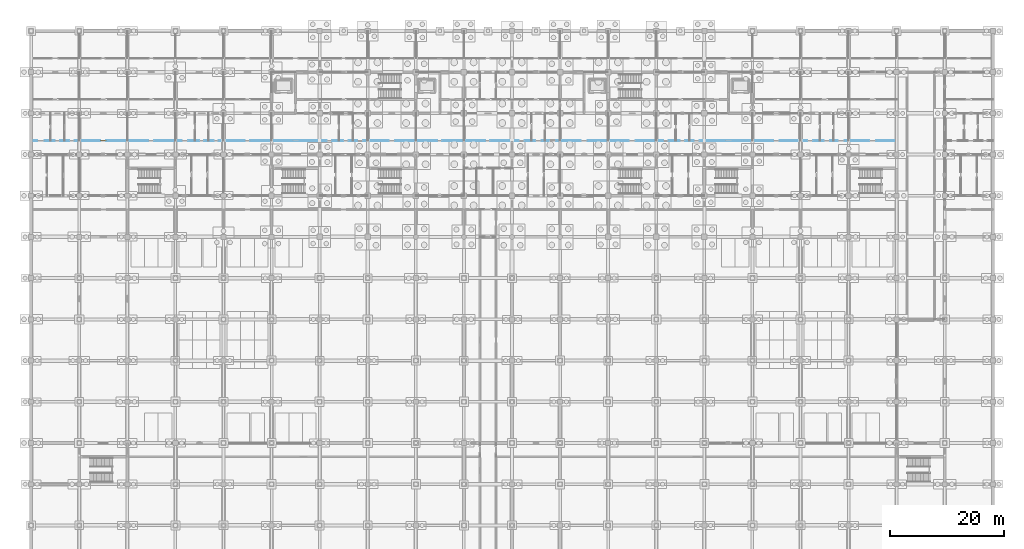
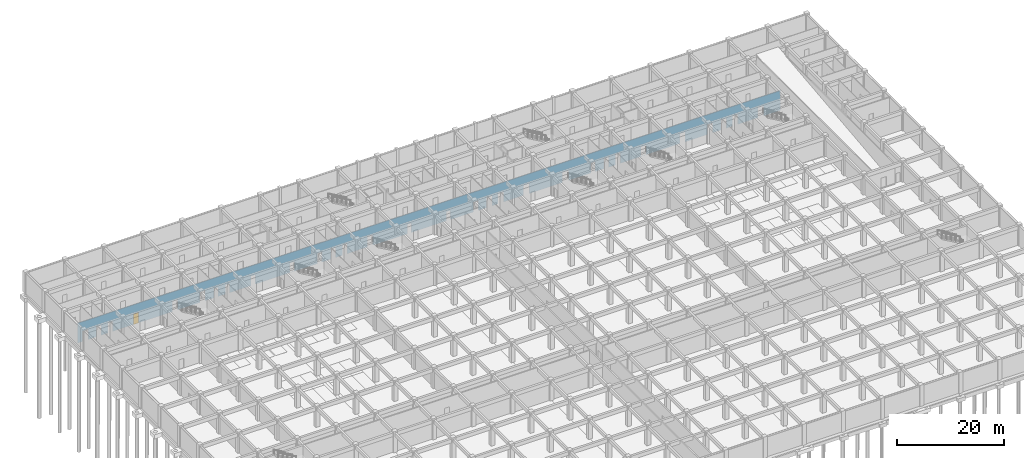
# One storey, part 44 of 85: 1 door, 30 openings, plus 1 element that does not belong to this part.
"""IFC4 building model written with IfcOpenShell, lengths in metres."""

from ifc_helpers import new_model, si_unit, direction, frame, frame_2d, origin, place, context, subcontext, project, spatial, rectangle, extrude, material, layer, layer_set, type_object, element, fill, save


model = new_model("IFC4")

# Units and contexts
model_context = context("Model", 3, precision=1e-05, world=origin(), true_north=direction((0.0, 1.0)))
body_context = subcontext(model_context, "Body", "Model", "MODEL_VIEW")
ifc_project = project(units=[si_unit("LENGTHUNIT", "METRE"), si_unit("AREAUNIT", "SQUARE_METRE"), si_unit("VOLUMEUNIT", "CUBIC_METRE"), si_unit("PLANEANGLEUNIT", "RADIAN"), si_unit("MASSUNIT", "GRAM", prefix="KILO")], contexts=[model_context])

# Site, building, storey
site_placement = place(None, origin())
site = spatial("IfcSite", under=ifc_project, at=site_placement, CompositionType="ELEMENT")
building_placement = place(site_placement, origin())
building = spatial("IfcBuilding", under=site, at=building_placement, Name="Chengyuan Square Courthouse", CompositionType="ELEMENT")
storey_placement = place(building_placement, frame((0.0, 0.0, -10.199951171875)))
storey = spatial("IfcBuildingStorey", under=building, at=storey_placement, Name="B02", CompositionType="ELEMENT", Elevation=-10.199951171875)

# Wall, openings, door
ifc_material_1 = material(Name="Gypsum Plasterboard Acoustic Stud Partition")
ifc_layer = layer(ifc_material_1, 0.10009765625)
ifc_layer_set = layer_set([ifc_layer], Name="Gypsum Plasterboard Acoustic Stud Partition")
wall_type = type_object("IfcWallType", Name="WL-PT6", PredefinedType="STANDARD", material=ifc_layer_set)
wall_placement = place(storey_placement, frame((0.0400390625, 96.0, 0.0), z_axis=(0.0, 0.0, 1.0), x_axis=(1.0, 0.0, 0.0)))
wall = element("IfcWall", 1, at=wall_placement, inside=storey, type_object=wall_type, Name="Interior Wall WL-B02-I062", PredefinedType="STANDARD", context=body_context, shape_type="SweptSolid", body=[
    extrude(rectangle(XDim=151.159912109375, YDim=0.10009765625, at=frame_2d((75.580078125, 0.0))), origin(), (0.0, 0.0, 1.0), 4.47998046875),
])
opening_1_placement = place(wall_placement, frame((1.0400390625, 0.0, 0.0)))
element("IfcOpeningElement", 2, at=opening_1_placement, cuts=wall, Name="Opening DR-148", PredefinedType="OPENING", context=body_context, shape_type="SweptSolid", body=[
    extrude(rectangle(XDim=1.280029296875, YDim=2.35009765625, at=frame_2d((0.64013671875, 1.175048828125))), frame((0.0, 0.06201171875, 0.0), z_axis=(0.0, -1.0, 0.0), x_axis=(1.0, 0.0, 0.0)), (0.0, 0.0, 1.0), 0.1240234375),
])
opening_2_placement = place(wall_placement, frame((4.090087890625, 0.0, 0.0)))
element("IfcOpeningElement", 3, at=opening_2_placement, cuts=wall, Name="Opening DR-149", PredefinedType="OPENING", context=body_context, shape_type="SweptSolid", body=[
    extrude(rectangle(XDim=0.93994140625, YDim=2.300048828125, at=frame_2d((0.469970703125, 1.14990234375))), frame((0.0, 0.06201171875, 0.0), z_axis=(0.0, -1.0, 0.0), x_axis=(1.0, 0.0, 0.0)), (0.0, 0.0, 1.0), 0.1240234375),
])
opening_3_placement = place(wall_placement, frame((6.570068359375, 0.0, 0.0)))
element("IfcOpeningElement", 4, at=opening_3_placement, cuts=wall, Name="Opening DR-150", PredefinedType="OPENING", context=body_context, shape_type="SweptSolid", body=[
    extrude(rectangle(XDim=0.97998046875, YDim=2.35009765625, at=frame_2d((0.489990234375, 1.175048828125))), frame((0.0, 0.06201171875, 0.0), z_axis=(0.0, -1.0, 0.0), x_axis=(1.0, 0.0, 0.0)), (0.0, 0.0, 1.0), 0.1240234375),
])
opening_4_placement = place(wall_placement, frame((12.050048828125, 0.0, 0.0)))
opening_4 = element("IfcOpeningElement", 5, at=opening_4_placement, cuts=wall, Name="Opening DR-151", PredefinedType="OPENING", context=body_context, shape_type="SweptSolid", body=[
    extrude(rectangle(XDim=1.02001953125, YDim=2.39990234375, at=frame_2d((0.510009765625, 1.199951171875))), frame((0.0, 0.06201171875, 0.0), z_axis=(0.0, -1.0, 0.0), x_axis=(1.0, 0.0, 0.0)), (0.0, 0.0, 1.0), 0.1240234375),
])
opening_5_placement = place(wall_placement, frame((20.429931640625, 0.0, 0.0)))
element("IfcOpeningElement", 6, at=opening_5_placement, cuts=wall, Name="Opening DR-152", PredefinedType="OPENING", context=body_context, shape_type="SweptSolid", body=[
    extrude(rectangle(XDim=1.06005859375, YDim=2.39990234375, at=frame_2d((0.530029296875, 1.199951171875))), frame((0.0, 0.06201171875, 0.0), z_axis=(0.0, -1.0, 0.0), x_axis=(1.0, 0.0, 0.0)), (0.0, 0.0, 1.0), 0.1240234375),
])
opening_6_placement = place(wall_placement, frame((26.2900390625, 0.0, 0.0)))
element("IfcOpeningElement", 7, at=opening_6_placement, cuts=wall, Name="Opening DR-153", PredefinedType="OPENING", context=body_context, shape_type="SweptSolid", body=[
    extrude(rectangle(XDim=1.139892578125, YDim=2.39990234375, at=frame_2d((0.56982421875, 1.199951171875))), frame((0.0, 0.06201171875, 0.0), z_axis=(0.0, -1.0, 0.0), x_axis=(1.0, 0.0, 0.0)), (0.0, 0.0, 1.0), 0.1240234375),
])
opening_7_placement = place(wall_placement, frame((29.31005859375, 0.0, 0.0)))
element("IfcOpeningElement", 8, at=opening_7_placement, cuts=wall, Name="Opening DR-154", PredefinedType="OPENING", context=body_context, shape_type="SweptSolid", body=[
    extrude(rectangle(XDim=0.89990234375, YDim=2.14990234375, at=frame_2d((0.449951171875, 1.074951171875))), frame((0.0, 0.06201171875, 0.0), z_axis=(0.0, -1.0, 0.0), x_axis=(1.0, 0.0, 0.0)), (0.0, 0.0, 1.0), 0.1240234375),
])
opening_8_placement = place(wall_placement, frame((31.830078125, 0.0, 0.0)))
element("IfcOpeningElement", 9, at=opening_8_placement, cuts=wall, Name="Opening DR-155", PredefinedType="OPENING", context=body_context, shape_type="SweptSolid", body=[
    extrude(rectangle(XDim=0.860107421875, YDim=2.10009765625, at=frame_2d((0.43017578125, 1.050048828125))), frame((0.0, 0.06201171875, 0.0), z_axis=(0.0, -1.0, 0.0), x_axis=(1.0, 0.0, 0.0)), (0.0, 0.0, 1.0), 0.1240234375),
])
opening_9_placement = place(wall_placement, frame((37.300048828125, 0.0, 0.0)))
element("IfcOpeningElement", 10, at=opening_9_placement, cuts=wall, Name="Opening DR-156", PredefinedType="OPENING", context=body_context, shape_type="SweptSolid", body=[
    extrude(rectangle(XDim=0.919921875, YDim=2.14990234375, at=frame_2d((0.4599609375, 1.074951171875))), frame((0.0, 0.06201171875, 0.0), z_axis=(0.0, -1.0, 0.0), x_axis=(1.0, 0.0, 0.0)), (0.0, 0.0, 1.0), 0.1240234375),
])
opening_10_placement = place(wall_placement, frame((45.679931640625, 0.0, 0.0)))
element("IfcOpeningElement", 11, at=opening_10_placement, cuts=wall, Name="Opening DR-157", PredefinedType="OPENING", context=body_context, shape_type="SweptSolid", body=[
    extrude(rectangle(XDim=0.9599609375, YDim=2.199951171875, at=frame_2d((0.47998046875, 1.10009765625))), frame((0.0, 0.06201171875, 0.0), z_axis=(0.0, -1.0, 0.0), x_axis=(1.0, 0.0, 0.0)), (0.0, 0.0, 1.0), 0.1240234375),
])
opening_11_placement = place(wall_placement, frame((51.570068359375, 0.0, 0.0)))
element("IfcOpeningElement", 12, at=opening_11_placement, cuts=wall, Name="Opening DR-167", PredefinedType="OPENING", context=body_context, shape_type="SweptSolid", body=[
    extrude(rectangle(XDim=0.97998046875, YDim=2.35009765625, at=frame_2d((0.489990234375, 1.175048828125))), frame((0.0, 0.06201171875, 0.0), z_axis=(0.0, -1.0, 0.0), x_axis=(1.0, 0.0, 0.0)), (0.0, 0.0, 1.0), 0.1240234375),
])
opening_12_placement = place(wall_placement, frame((54.449951171875, 0.0, 0.0)))
element("IfcOpeningElement", 13, at=opening_12_placement, cuts=wall, Name="Opening DR-168", PredefinedType="OPENING", context=body_context, shape_type="SweptSolid", body=[
    extrude(rectangle(XDim=1.02001953125, YDim=2.39990234375, at=frame_2d((0.510009765625, 1.199951171875))), frame((0.0, 0.06201171875, 0.0), z_axis=(0.0, -1.0, 0.0), x_axis=(1.0, 0.0, 0.0)), (0.0, 0.0, 1.0), 0.1240234375),
])
opening_13_placement = place(wall_placement, frame((56.929931640625, 0.0, 0.0)))
element("IfcOpeningElement", 14, at=opening_13_placement, cuts=wall, Name="Opening DR-169", PredefinedType="OPENING", context=body_context, shape_type="SweptSolid", body=[
    extrude(rectangle(XDim=1.06005859375, YDim=2.39990234375, at=frame_2d((0.530029296875, 1.199951171875))), frame((0.0, 0.06201171875, 0.0), z_axis=(0.0, -1.0, 0.0), x_axis=(1.0, 0.0, 0.0)), (0.0, 0.0, 1.0), 0.1240234375),
])
opening_14_placement = place(wall_placement, frame((62.389892578125, 0.0, 0.0)))
element("IfcOpeningElement", 15, at=opening_14_placement, cuts=wall, Name="Opening DR-170", PredefinedType="OPENING", context=body_context, shape_type="SweptSolid", body=[
    extrude(rectangle(XDim=1.139892578125, YDim=2.39990234375, at=frame_2d((0.56982421875, 1.199951171875))), frame((0.0, 0.06201171875, 0.0), z_axis=(0.0, -1.0, 0.0), x_axis=(1.0, 0.0, 0.0)), (0.0, 0.0, 1.0), 0.1240234375),
])
opening_15_placement = place(wall_placement, frame((70.909912109375, 0.0, 0.0)))
element("IfcOpeningElement", 16, at=opening_15_placement, cuts=wall, Name="Opening DR-171", PredefinedType="OPENING", context=body_context, shape_type="SweptSolid", body=[
    extrude(rectangle(XDim=0.89990234375, YDim=2.14990234375, at=frame_2d((0.449951171875, 1.074951171875))), frame((0.0, 0.06201171875, 0.0), z_axis=(0.0, -1.0, 0.0), x_axis=(1.0, 0.0, 0.0)), (0.0, 0.0, 1.0), 0.1240234375),
])
opening_16_placement = place(wall_placement, frame((79.330078125, 0.0, 0.0)))
element("IfcOpeningElement", 17, at=opening_16_placement, cuts=wall, Name="Opening DR-172", PredefinedType="OPENING", context=body_context, shape_type="SweptSolid", body=[
    extrude(rectangle(XDim=0.860107421875, YDim=2.10009765625, at=frame_2d((0.43017578125, 1.050048828125))), frame((0.0, 0.06201171875, 0.0), z_axis=(0.0, -1.0, 0.0), x_axis=(1.0, 0.0, 0.0)), (0.0, 0.0, 1.0), 0.1240234375),
])
opening_17_placement = place(wall_placement, frame((85.10009765625, 0.0, 0.0)))
element("IfcOpeningElement", 18, at=opening_17_placement, cuts=wall, Name="Opening DR-178", PredefinedType="OPENING", context=body_context, shape_type="SweptSolid", body=[
    extrude(rectangle(XDim=1.1201171875, YDim=2.25, at=frame_2d((0.56005859375, 1.125))), frame((0.0, 0.06201171875, 0.0), z_axis=(0.0, -1.0, 0.0), x_axis=(1.0, 0.0, 0.0)), (0.0, 0.0, 1.0), 0.1240234375),
])
opening_18_placement = place(wall_placement, frame((87.97998046875, 0.0, 0.0)))
element("IfcOpeningElement", 19, at=opening_18_placement, cuts=wall, Name="Opening DR-179", PredefinedType="OPENING", context=body_context, shape_type="SweptSolid", body=[
    extrude(rectangle(XDim=1.159912109375, YDim=2.300048828125, at=frame_2d((0.580078125, 1.14990234375))), frame((0.0, 0.06201171875, 0.0), z_axis=(0.0, -1.0, 0.0), x_axis=(1.0, 0.0, 0.0)), (0.0, 0.0, 1.0), 0.1240234375),
])
opening_19_placement = place(wall_placement, frame((90.4599609375, 0.0, 0.0)))
element("IfcOpeningElement", 20, at=opening_19_placement, cuts=wall, Name="Opening DR-180", PredefinedType="OPENING", context=body_context, shape_type="SweptSolid", body=[
    extrude(rectangle(XDim=1.199951171875, YDim=2.35009765625, at=frame_2d((0.60009765625, 1.175048828125))), frame((0.0, 0.06201171875, 0.0), z_axis=(0.0, -1.0, 0.0), x_axis=(1.0, 0.0, 0.0)), (0.0, 0.0, 1.0), 0.1240234375),
])
opening_20_placement = place(wall_placement, frame((95.93994140625, 0.0, 0.0)))
element("IfcOpeningElement", 21, at=opening_20_placement, cuts=wall, Name="Opening DR-181", PredefinedType="OPENING", context=body_context, shape_type="SweptSolid", body=[
    extrude(rectangle(XDim=1.239990234375, YDim=2.300048828125, at=frame_2d((0.6201171875, 1.14990234375))), frame((0.0, 0.06201171875, 0.0), z_axis=(0.0, -1.0, 0.0), x_axis=(1.0, 0.0, 0.0)), (0.0, 0.0, 1.0), 0.1240234375),
])
opening_21_placement = place(wall_placement, frame((104.320068359375, 0.0, 0.0)))
element("IfcOpeningElement", 22, at=opening_21_placement, cuts=wall, Name="Opening DR-182", PredefinedType="OPENING", context=body_context, shape_type="SweptSolid", body=[
    extrude(rectangle(XDim=1.280029296875, YDim=2.35009765625, at=frame_2d((0.64013671875, 1.175048828125))), frame((0.0, 0.06201171875, 0.0), z_axis=(0.0, -1.0, 0.0), x_axis=(1.0, 0.0, 0.0)), (0.0, 0.0, 1.0), 0.1240234375),
])
opening_22_placement = place(wall_placement, frame((110.389892578125, 0.0, 0.0)))
element("IfcOpeningElement", 23, at=opening_22_placement, cuts=wall, Name="Opening DR-183", PredefinedType="OPENING", context=body_context, shape_type="SweptSolid", body=[
    extrude(rectangle(XDim=0.93994140625, YDim=2.300048828125, at=frame_2d((0.469970703125, 1.14990234375))), frame((0.0, 0.06201171875, 0.0), z_axis=(0.0, -1.0, 0.0), x_axis=(1.0, 0.0, 0.0)), (0.0, 0.0, 1.0), 0.1240234375),
])
opening_23_placement = place(wall_placement, frame((113.27001953125, 0.0, 0.0)))
element("IfcOpeningElement", 24, at=opening_23_placement, cuts=wall, Name="Opening DR-184", PredefinedType="OPENING", context=body_context, shape_type="SweptSolid", body=[
    extrude(rectangle(XDim=0.97998046875, YDim=2.35009765625, at=frame_2d((0.489990234375, 1.175048828125))), frame((0.0, 0.06201171875, 0.0), z_axis=(0.0, -1.0, 0.0), x_axis=(1.0, 0.0, 0.0)), (0.0, 0.0, 1.0), 0.1240234375),
])
opening_24_placement = place(wall_placement, frame((115.75, 0.0, 0.0)))
element("IfcOpeningElement", 25, at=opening_24_placement, cuts=wall, Name="Opening DR-185", PredefinedType="OPENING", context=body_context, shape_type="SweptSolid", body=[
    extrude(rectangle(XDim=1.02001953125, YDim=2.39990234375, at=frame_2d((0.510009765625, 1.199951171875))), frame((0.0, 0.06201171875, 0.0), z_axis=(0.0, -1.0, 0.0), x_axis=(1.0, 0.0, 0.0)), (0.0, 0.0, 1.0), 0.1240234375),
])
opening_25_placement = place(wall_placement, frame((121.239990234375, 0.0, 0.0)))
element("IfcOpeningElement", 26, at=opening_25_placement, cuts=wall, Name="Opening DR-193", PredefinedType="OPENING", context=body_context, shape_type="SweptSolid", body=[
    extrude(rectangle(XDim=1.0400390625, YDim=2.199951171875, at=frame_2d((0.52001953125, 1.10009765625))), frame((0.0, 0.06201171875, 0.0), z_axis=(0.0, -1.0, 0.0), x_axis=(1.0, 0.0, 0.0)), (0.0, 0.0, 1.0), 0.1240234375),
])
opening_26_placement = place(wall_placement, frame((129.6201171875, 0.0, 0.0)))
element("IfcOpeningElement", 27, at=opening_26_placement, cuts=wall, Name="Opening DR-194", PredefinedType="OPENING", context=body_context, shape_type="SweptSolid", body=[
    extrude(rectangle(XDim=1.080078125, YDim=2.25, at=frame_2d((0.5400390625, 1.125))), frame((0.0, 0.06201171875, 0.0), z_axis=(0.0, -1.0, 0.0), x_axis=(1.0, 0.0, 0.0)), (0.0, 0.0, 1.0), 0.1240234375),
])
opening_27_placement = place(wall_placement, frame((135.5, 0.0, 0.0)))
element("IfcOpeningElement", 28, at=opening_27_placement, cuts=wall, Name="Opening DR-195", PredefinedType="OPENING", context=body_context, shape_type="SweptSolid", body=[
    extrude(rectangle(XDim=1.1201171875, YDim=2.25, at=frame_2d((0.56005859375, 1.125))), frame((0.0, 0.06201171875, 0.0), z_axis=(0.0, -1.0, 0.0), x_axis=(1.0, 0.0, 0.0)), (0.0, 0.0, 1.0), 0.1240234375),
])
opening_28_placement = place(wall_placement, frame((138.3798828125, 0.0, 0.0)))
element("IfcOpeningElement", 29, at=opening_28_placement, cuts=wall, Name="Opening DR-196", PredefinedType="OPENING", context=body_context, shape_type="SweptSolid", body=[
    extrude(rectangle(XDim=1.159912109375, YDim=2.300048828125, at=frame_2d((0.580078125, 1.14990234375))), frame((0.0, 0.06201171875, 0.0), z_axis=(0.0, -1.0, 0.0), x_axis=(1.0, 0.0, 0.0)), (0.0, 0.0, 1.0), 0.1240234375),
])
opening_29_placement = place(wall_placement, frame((140.860107421875, 0.0, 0.0)))
element("IfcOpeningElement", 30, at=opening_29_placement, cuts=wall, Name="Opening DR-197", PredefinedType="OPENING", context=body_context, shape_type="SweptSolid", body=[
    extrude(rectangle(XDim=1.199951171875, YDim=2.35009765625, at=frame_2d((0.60009765625, 1.175048828125))), frame((0.0, 0.06201171875, 0.0), z_axis=(0.0, -1.0, 0.0), x_axis=(1.0, 0.0, 0.0)), (0.0, 0.0, 1.0), 0.1240234375),
])
opening_30_placement = place(wall_placement, frame((146.340087890625, 0.0, 0.0)))
element("IfcOpeningElement", 31, at=opening_30_placement, cuts=wall, Name="Opening DR-198", PredefinedType="OPENING", context=body_context, shape_type="SweptSolid", body=[
    extrude(rectangle(XDim=1.239990234375, YDim=2.300048828125, at=frame_2d((0.6201171875, 1.14990234375))), frame((0.0, 0.06201171875, 0.0), z_axis=(0.0, -1.0, 0.0), x_axis=(1.0, 0.0, 0.0)), (0.0, 0.0, 1.0), 0.1240234375),
])
ifc_material_2 = material(Name="Acoustic Solid-Core Timber Door", Category="wood")
door_type = type_object("IfcDoorType", Name="DT-41", OperationType="NOTDEFINED", PredefinedType="DOOR", material=ifc_material_2)
door_placement = place(opening_4_placement, origin())
door = element("IfcDoor", 32, at=door_placement, inside=storey, type_object=door_type, Name="Interior Door DR-151", OperationType="SINGLE_SWING_RIGHT", OverallHeight=2.39990234375, OverallWidth=1.02001953125, PredefinedType="DOOR", context=body_context, shape_type="SweptSolid", body=[
    extrude(rectangle(XDim=1.02001953125, YDim=2.39990234375, at=frame_2d((0.510009765625, 1.199951171875))), frame((0.0, 0.02490234375, 0.0), z_axis=(0.0, -1.0, 0.0), x_axis=(1.0, 0.0, 0.0)), (0.0, 0.0, 1.0), 0.050048828125),
])
fill(opening_4, door)

save(model, "model.ifc")
